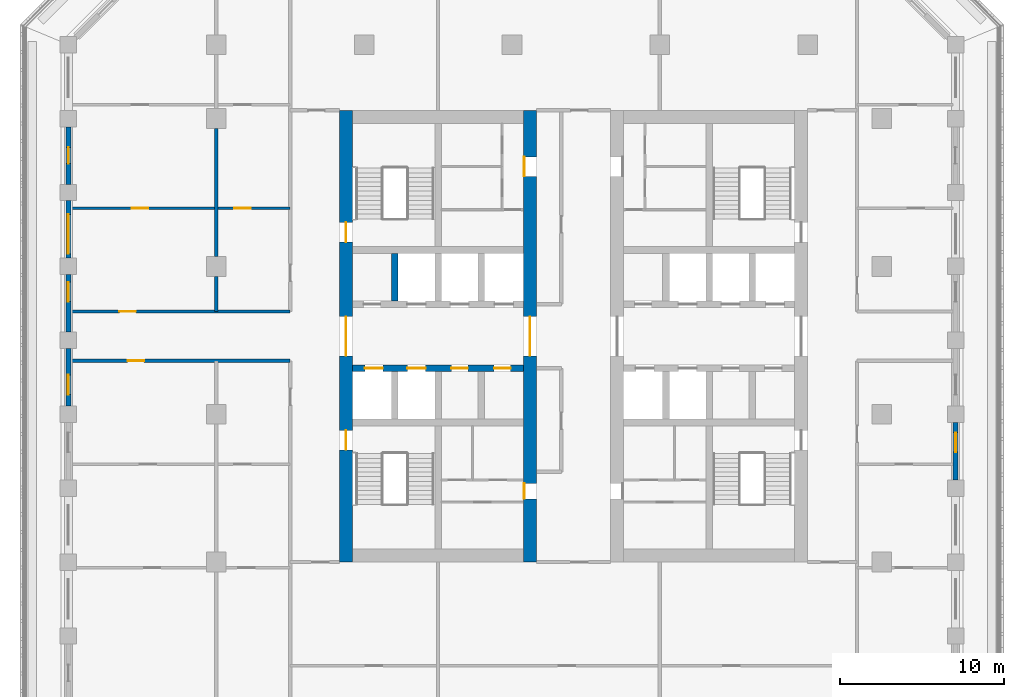
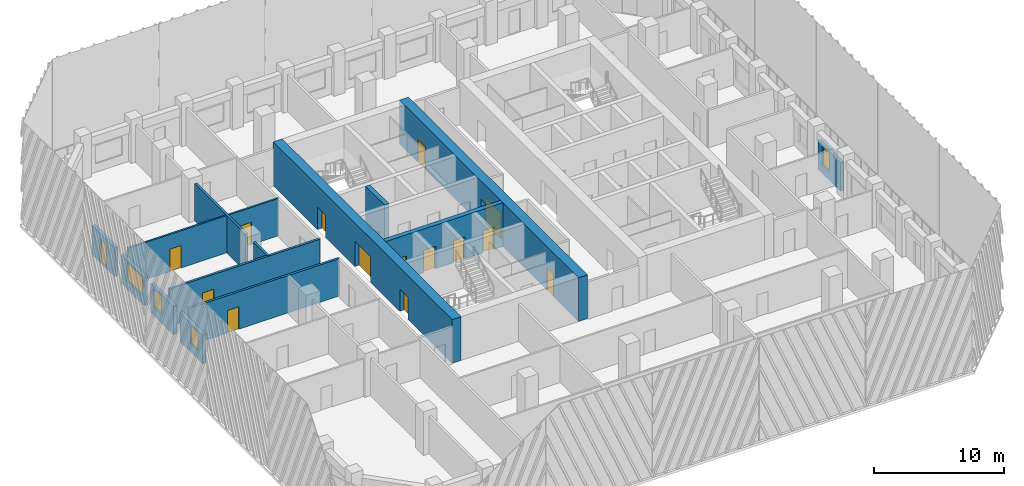
# One storey, part 5 of 18: 15 doors, 14 walls, 4 windows, 19 openings.
"""IFC4 building model written with IfcOpenShell, lengths in metres."""

from ifc_helpers import new_model, si_unit, direction, frame, frame_2d, origin, place, context, subcontext, project, spatial, rectangle, extrude, material, layer, layer_set, type_object, element, fill, save


model = new_model("IFC4")

# Units and contexts
model_context = context("Model", 3, precision=1e-05, world=origin(), true_north=direction((0.0, 1.0)))
body_context = subcontext(model_context, "Body", "Model", "MODEL_VIEW")
ifc_project = project(units=[si_unit("LENGTHUNIT", "METRE"), si_unit("AREAUNIT", "SQUARE_METRE"), si_unit("VOLUMEUNIT", "CUBIC_METRE"), si_unit("PLANEANGLEUNIT", "RADIAN"), si_unit("MASSUNIT", "GRAM", prefix="KILO")], contexts=[model_context])

# Site, building, storey
site_placement = place(None, origin())
site = spatial("IfcSite", under=ifc_project, at=site_placement, CompositionType="ELEMENT")
building_placement = place(site_placement, origin())
building = spatial("IfcBuilding", under=site, at=building_placement, Name="Corbel Stack Research Tower", CompositionType="ELEMENT")
storey_placement = place(building_placement, frame((0.0, 0.0, 181.39990234375)))
storey = spatial("IfcBuildingStorey", under=building, at=storey_placement, Name="L41", CompositionType="ELEMENT", Elevation=181.39990234375)

# Wall, openings, doors
ifc_material_1 = material(Name="Concrete C60/75", Category="concrete")
ifc_layer_1 = layer(ifc_material_1, 0.39990234375)
ifc_layer_set_1 = layer_set([ifc_layer_1], Name="Concrete C60/75")
wall_type_1 = type_object("IfcWallType", Name="CW-400-60", PredefinedType="SHEAR", material=ifc_layer_set_1)
wall_1_placement = place(storey_placement, frame((-9.699951171875, 2.800048828125, 0.0), z_axis=(0.0, 0.0, 1.0), x_axis=(1.0, 0.0, 0.0)))
wall_1 = element("IfcWall", 1, at=wall_1_placement, inside=storey, type_object=wall_type_1, Name="West core wall, lobby south L41", PredefinedType="SHEAR", context=body_context, shape_type="SweptSolid", body=[
    extrude(rectangle(XDim=10.39990234375, YDim=0.39990234375, at=frame_2d((5.199951171875, 0.0))), origin(), (0.0, 0.0, 1.0), 4.10009765625),
])
opening_1_placement = place(wall_1_placement, frame((0.737548828125, 0.0, 0.0)))
opening_1 = element("IfcOpeningElement", 2, at=opening_1_placement, cuts=wall_1, Name="Opening LD-FS1", PredefinedType="OPENING", context=body_context, shape_type="SweptSolid", body=[
    extrude(rectangle(XDim=1.10009765625, YDim=2.10009765625, at=frame_2d((0.550048828125, 1.050048828125))), frame((0.0, 0.2099609375, 0.0), z_axis=(0.0, -1.0, 0.0), x_axis=(1.0, 0.0, 0.0)), (0.0, 0.0, 1.0), 0.419921875),
])
opening_2_placement = place(wall_1_placement, frame((3.33740234375, 0.0, 0.0)))
opening_2 = element("IfcOpeningElement", 3, at=opening_2_placement, cuts=wall_1, Name="Opening LD-GL1", PredefinedType="OPENING", context=body_context, shape_type="SweptSolid", body=[
    extrude(rectangle(XDim=1.10009765625, YDim=2.10009765625, at=frame_2d((0.550048828125, 1.050048828125))), frame((0.0, 0.2099609375, 0.0), z_axis=(0.0, -1.0, 0.0), x_axis=(1.0, 0.0, 0.0)), (0.0, 0.0, 1.0), 0.419921875),
])
opening_3_placement = place(wall_1_placement, frame((6.012451171875, 0.0, 0.0)))
opening_3 = element("IfcOpeningElement", 4, at=opening_3_placement, cuts=wall_1, Name="Opening CR-W24-S3", PredefinedType="OPENING", context=body_context, shape_type="SweptSolid", body=[
    extrude(rectangle(XDim=1.0, YDim=2.10009765625, at=frame_2d((0.5, 1.050048828125))), frame((0.0, 0.2099609375, 0.0), z_axis=(0.0, -1.0, 0.0), x_axis=(1.0, 0.0, 0.0)), (0.0, 0.0, 1.0), 0.419921875),
])
opening_4_placement = place(wall_1_placement, frame((8.612548828125, 0.0, 0.0)))
opening_4 = element("IfcOpeningElement", 5, at=opening_4_placement, cuts=wall_1, Name="Opening CR-W24-S4", PredefinedType="OPENING", context=body_context, shape_type="SweptSolid", body=[
    extrude(rectangle(XDim=1.0, YDim=2.10009765625, at=frame_2d((0.5, 1.050048828125))), frame((0.0, 0.2099609375, 0.0), z_axis=(0.0, -1.0, 0.0), x_axis=(1.0, 0.0, 0.0)), (0.0, 0.0, 1.0), 0.419921875),
])
ifc_material_2 = material(Name="Stainless steel landing door", Category="steel")
door_type_1 = type_object("IfcDoorType", Name="Lift landing door 1100 x 2100", OperationType="DOUBLE_DOOR_SLIDING", PredefinedType="DOOR", material=ifc_material_2)
door_1_placement = place(opening_1_placement, origin())
door_1 = element("IfcDoor", 6, at=door_1_placement, inside=storey, type_object=door_type_1, Name="Landing door FS1", OperationType="DOUBLE_DOOR_SLIDING", OverallHeight=2.10009765625, OverallWidth=1.10009765625, PredefinedType="DOOR", context=body_context, shape_type="SweptSolid", body=[
    extrude(rectangle(XDim=1.10009765625, YDim=2.10009765625, at=frame_2d((0.550048828125, 1.050048828125))), frame((0.0, 0.02490234375, 0.0), z_axis=(0.0, -1.0, 0.0), x_axis=(1.0, 0.0, 0.0)), (0.0, 0.0, 1.0), 0.050048828125),
])
fill(opening_1, door_1)
door_2_placement = place(opening_2_placement, origin())
door_2 = element("IfcDoor", 7, at=door_2_placement, inside=storey, type_object=door_type_1, Name="Landing door GL1", OperationType="DOUBLE_DOOR_SLIDING", OverallHeight=2.10009765625, OverallWidth=1.10009765625, PredefinedType="DOOR", context=body_context, shape_type="SweptSolid", body=[
    extrude(rectangle(XDim=1.10009765625, YDim=2.10009765625, at=frame_2d((0.550048828125, 1.050048828125))), frame((0.0, 0.02490234375, 0.0), z_axis=(0.0, -1.0, 0.0), x_axis=(1.0, 0.0, 0.0)), (0.0, 0.0, 1.0), 0.050048828125),
])
fill(opening_2, door_2)
ifc_material_3 = material(Name="Painted steel door", Category="steel")
door_type_2 = type_object("IfcDoorType", Name="Service door 1000 x 2100 FD60 left hand", OperationType="SINGLE_SWING_LEFT", PredefinedType="DOOR", material=ifc_material_3)
door_3_placement = place(opening_3_placement, origin())
door_3 = element("IfcDoor", 8, at=door_3_placement, inside=storey, type_object=door_type_2, Name="Staff WC door W core", OperationType="SINGLE_SWING_LEFT", OverallHeight=2.10009765625, OverallWidth=1.0, PredefinedType="DOOR", context=body_context, shape_type="SweptSolid", body=[
    extrude(rectangle(XDim=1.0, YDim=2.10009765625, at=frame_2d((0.5, 1.050048828125))), frame((0.0, 0.02490234375, 0.0), z_axis=(0.0, -1.0, 0.0), x_axis=(1.0, 0.0, 0.0)), (0.0, 0.0, 1.0), 0.050048828125),
])
fill(opening_3, door_3)
ifc_material_4 = material(Name="Painted steel door", Category="steel")
door_type_3 = type_object("IfcDoorType", Name="Service door 1000 x 2100 FD60 right hand", OperationType="SINGLE_SWING_RIGHT", PredefinedType="DOOR", material=ifc_material_4)
door_4_placement = place(opening_4_placement, origin())
door_4 = element("IfcDoor", 9, at=door_4_placement, inside=storey, type_object=door_type_3, Name="Laboratory consumables store door W core", OperationType="SINGLE_SWING_RIGHT", OverallHeight=2.10009765625, OverallWidth=1.0, PredefinedType="DOOR", context=body_context, shape_type="SweptSolid", body=[
    extrude(rectangle(XDim=1.0, YDim=2.10009765625, at=frame_2d((0.5, 1.050048828125))), frame((0.0, 0.02490234375, 0.0), z_axis=(0.0, -1.0, 0.0), x_axis=(1.0, 0.0, 0.0)), (0.0, 0.0, 1.0), 0.050048828125),
])
fill(opening_4, door_4)

# Wall
wall_2_placement = place(storey_placement, frame((-7.125, 6.89990234375, 0.0), z_axis=(0.0, 0.0, 1.0), x_axis=(0.0, 1.0, 0.0)))
element("IfcWall", 10, at=wall_2_placement, inside=storey, type_object=wall_type_1, Name="West core wall, north shaft 1 L41", PredefinedType="SHEAR", context=body_context, shape_type="SweptSolid", body=[
    extrude(rectangle(XDim=2.900146484375, YDim=0.39990234375, at=frame_2d((1.4501953125, 0.0))), origin(), (0.0, 0.0, 1.0), 4.10009765625),
])

# Wall, openings, doors
ifc_material_5 = material(Name="Concrete C60/75", Category="concrete")
ifc_layer_2 = layer(ifc_material_5, 0.800048828125)
ifc_layer_set_2 = layer_set([ifc_layer_2], Name="Concrete C60/75")
wall_type_2 = type_object("IfcWallType", Name="CW-800-60", PredefinedType="SHEAR", material=ifc_layer_set_2)
wall_3_placement = place(storey_placement, frame((-10.10009765625, -9.0, 0.0), z_axis=(0.0, 0.0, 1.0), x_axis=(0.0, 1.0, 0.0)))
wall_3 = element("IfcWall", 11, at=wall_3_placement, inside=storey, type_object=wall_type_2, Name="West core wall, west face L41", PredefinedType="SHEAR", context=body_context, shape_type="SweptSolid", body=[
    extrude(rectangle(XDim=27.5, YDim=0.800048828125, at=frame_2d((13.75, 0.0))), origin(), (0.0, 0.0, 1.0), 4.10009765625),
])
opening_5_placement = place(wall_3_placement, frame((12.550048828125, 0.0, 0.0)))
opening_5 = element("IfcOpeningElement", 12, at=opening_5_placement, cuts=wall_3, Name="Opening CD-W-W", PredefinedType="OPENING", context=body_context, shape_type="SweptSolid", body=[
    extrude(rectangle(XDim=2.39990234375, YDim=2.39990234375, at=frame_2d((1.199951171875, 1.199951171875))), frame((0.0, 0.409912109375, 0.0), z_axis=(0.0, -1.0, 0.0), x_axis=(1.0, 0.0, 0.0)), (0.0, 0.0, 1.0), 0.820068359375),
])
opening_6_placement = place(wall_3_placement, frame((6.824951171875, 0.0, 0.0)))
opening_6 = element("IfcOpeningElement", 13, at=opening_6_placement, cuts=wall_3, Name="Opening SD-ST-W1", PredefinedType="OPENING", context=body_context, shape_type="SweptSolid", body=[
    extrude(rectangle(XDim=1.199951171875, YDim=2.10009765625, at=frame_2d((0.60009765625, 1.050048828125))), frame((0.0, 0.409912109375, 0.0), z_axis=(0.0, -1.0, 0.0), x_axis=(1.0, 0.0, 0.0)), (0.0, 0.0, 1.0), 0.820068359375),
])
opening_7_placement = place(wall_3_placement, frame((19.47509765625, 0.0, 0.0)))
opening_7 = element("IfcOpeningElement", 14, at=opening_7_placement, cuts=wall_3, Name="Opening SD-ST-W2", PredefinedType="OPENING", context=body_context, shape_type="SweptSolid", body=[
    extrude(rectangle(XDim=1.199951171875, YDim=2.10009765625, at=frame_2d((0.60009765625, 1.050048828125))), frame((0.0, 0.409912109375, 0.0), z_axis=(0.0, -1.0, 0.0), x_axis=(1.0, 0.0, 0.0)), (0.0, 0.0, 1.0), 0.820068359375),
])
ifc_material_6 = material(Name="Painted steel fire door", Category="steel")
door_type_4 = type_object("IfcDoorType", Name="Lobby door pair 2400 x 2400 FD30S", OperationType="DOUBLE_DOOR_DOUBLE_SWING", PredefinedType="DOOR", material=ifc_material_6)
door_5_placement = place(opening_5_placement, origin())
door_5 = element("IfcDoor", 15, at=door_5_placement, inside=storey, type_object=door_type_4, Name="Lift lobby door W core W", OperationType="DOUBLE_DOOR_DOUBLE_SWING", OverallHeight=2.39990234375, OverallWidth=2.39990234375, PredefinedType="DOOR", context=body_context, shape_type="SweptSolid", body=[
    extrude(rectangle(XDim=2.39990234375, YDim=2.39990234375, at=frame_2d((1.199951171875, 1.199951171875))), frame((0.0, 0.02490234375, 0.0), z_axis=(0.0, -1.0, 0.0), x_axis=(1.0, 0.0, 0.0)), (0.0, 0.0, 1.0), 0.050048828125),
])
fill(opening_5, door_5)
ifc_material_7 = material(Name="Painted steel fire door", Category="steel")
door_type_5 = type_object("IfcDoorType", Name="Stair door 1200 x 2100 FD90 left hand", OperationType="SINGLE_SWING_LEFT", PredefinedType="DOOR", material=ifc_material_7)
door_6_placement = place(opening_6_placement, origin())
door_6 = element("IfcDoor", 16, at=door_6_placement, inside=storey, type_object=door_type_5, Name="Stair door ST-W1", OperationType="SINGLE_SWING_LEFT", OverallHeight=2.10009765625, OverallWidth=1.199951171875, PredefinedType="DOOR", context=body_context, shape_type="SweptSolid", body=[
    extrude(rectangle(XDim=1.199951171875, YDim=2.10009765625, at=frame_2d((0.60009765625, 1.050048828125))), frame((0.0, 0.02490234375, 0.0), z_axis=(0.0, -1.0, 0.0), x_axis=(1.0, 0.0, 0.0)), (0.0, 0.0, 1.0), 0.050048828125),
])
fill(opening_6, door_6)
door_7_placement = place(opening_7_placement, origin())
door_7 = element("IfcDoor", 17, at=door_7_placement, inside=storey, type_object=door_type_5, Name="Stair door ST-W2", OperationType="SINGLE_SWING_LEFT", OverallHeight=2.10009765625, OverallWidth=1.199951171875, PredefinedType="DOOR", context=body_context, shape_type="SweptSolid", body=[
    extrude(rectangle(XDim=1.199951171875, YDim=2.10009765625, at=frame_2d((0.60009765625, 1.050048828125))), frame((0.0, 0.02490234375, 0.0), z_axis=(0.0, -1.0, 0.0), x_axis=(1.0, 0.0, 0.0)), (0.0, 0.0, 1.0), 0.050048828125),
])
fill(opening_7, door_7)

wall_4_placement = place(storey_placement, frame((1.10009765625, -9.0, 0.0), z_axis=(0.0, 0.0, 1.0), x_axis=(0.0, 1.0, 0.0)))
wall_4 = element("IfcWall", 18, at=wall_4_placement, inside=storey, type_object=wall_type_2, Name="West core wall, east face L41", PredefinedType="SHEAR", context=body_context, shape_type="SweptSolid", body=[
    extrude(rectangle(XDim=27.5, YDim=0.800048828125, at=frame_2d((13.75, 0.0))), origin(), (0.0, 0.0, 1.0), 4.10009765625),
])
opening_8_placement = place(wall_4_placement, frame((12.550048828125, 0.0, 0.0)))
opening_8 = element("IfcOpeningElement", 19, at=opening_8_placement, cuts=wall_4, Name="Opening CD-W-E", PredefinedType="OPENING", context=body_context, shape_type="SweptSolid", body=[
    extrude(rectangle(XDim=2.39990234375, YDim=2.39990234375, at=frame_2d((1.199951171875, 1.199951171875))), frame((0.0, 0.409912109375, 0.0), z_axis=(0.0, -1.0, 0.0), x_axis=(1.0, 0.0, 0.0)), (0.0, 0.0, 1.0), 0.820068359375),
])
opening_9_placement = place(wall_4_placement, frame((3.85009765625, 0.0, 0.0)))
opening_9 = element("IfcOpeningElement", 20, at=opening_9_placement, cuts=wall_4, Name="Opening CR-W24-W1-950", PredefinedType="OPENING", context=body_context, shape_type="SweptSolid", body=[
    extrude(rectangle(XDim=0.949951171875, YDim=2.10009765625, at=frame_2d((0.47509765625, 1.050048828125))), frame((0.0, 0.409912109375, 0.0), z_axis=(0.0, -1.0, 0.0), x_axis=(1.0, 0.0, 0.0)), (0.0, 0.0, 1.0), 0.820068359375),
])
opening_10_placement = place(wall_4_placement, frame((23.47509765625, 0.0, 0.0)))
opening_10 = element("IfcOpeningElement", 21, at=opening_10_placement, cuts=wall_4, Name="Opening CR-W24-R2-1200", PredefinedType="OPENING", context=body_context, shape_type="SweptSolid", body=[
    extrude(rectangle(XDim=1.199951171875, YDim=2.10009765625, at=frame_2d((0.60009765625, 1.050048828125))), frame((0.0, 0.409912109375, 0.0), z_axis=(0.0, -1.0, 0.0), x_axis=(1.0, 0.0, 0.0)), (0.0, 0.0, 1.0), 0.820068359375),
])
door_8_placement = place(opening_8_placement, origin())
door_8 = element("IfcDoor", 22, at=door_8_placement, inside=storey, type_object=door_type_4, Name="Lift lobby door W core E", OperationType="DOUBLE_DOOR_DOUBLE_SWING", OverallHeight=2.39990234375, OverallWidth=2.39990234375, PredefinedType="DOOR", context=body_context, shape_type="SweptSolid", body=[
    extrude(rectangle(XDim=2.39990234375, YDim=2.39990234375, at=frame_2d((1.199951171875, 1.199951171875))), frame((0.0, 0.02490234375, 0.0), z_axis=(0.0, -1.0, 0.0), x_axis=(1.0, 0.0, 0.0)), (0.0, 0.0, 1.0), 0.050048828125),
])
fill(opening_8, door_8)
ifc_material_8 = material(Name="Painted steel door", Category="steel")
door_type_6 = type_object("IfcDoorType", Name="Service door 1200 x 2100 FD30 right hand", OperationType="SINGLE_SWING_RIGHT", PredefinedType="DOOR", material=ifc_material_8)
door_9_placement = place(opening_10_placement, origin())
door_9 = element("IfcDoor", 23, at=door_9_placement, inside=storey, type_object=door_type_6, Name="Service passage door W core", OperationType="SINGLE_SWING_RIGHT", OverallHeight=2.10009765625, OverallWidth=1.199951171875, PredefinedType="DOOR", context=body_context, shape_type="SweptSolid", body=[
    extrude(rectangle(XDim=1.199951171875, YDim=2.10009765625, at=frame_2d((0.60009765625, 1.050048828125))), frame((0.0, 0.375, 0.0), z_axis=(0.0, -1.0, 0.0), x_axis=(1.0, 0.0, 0.0)), (0.0, 0.0, 1.0), 0.050048828125),
])
fill(opening_10, door_9)
ifc_material_9 = material(Name="Painted timber door", Category="wood")
door_type_7 = type_object("IfcDoorType", Name="WC door 950 x 2100 left hand", OperationType="SINGLE_SWING_LEFT", PredefinedType="DOOR", material=ifc_material_9)
door_10_placement = place(opening_9_placement, origin())
door_10 = element("IfcDoor", 24, at=door_10_placement, inside=storey, type_object=door_type_7, Name="WC lobby door W core", OperationType="SINGLE_SWING_LEFT", OverallHeight=2.10009765625, OverallWidth=0.949951171875, PredefinedType="DOOR", context=body_context, shape_type="SweptSolid", body=[
    extrude(rectangle(XDim=0.949951171875, YDim=2.10009765625, at=frame_2d((0.47509765625, 1.050048828125))), frame((0.0, 0.375, 0.0), z_axis=(0.0, -1.0, 0.0), x_axis=(1.0, 0.0, 0.0)), (0.0, 0.0, 1.0), 0.050048828125),
])
fill(opening_9, door_10)

# Walls
ifc_material_10 = material(Name="Fire-rated gypsum board partition on steel studs", Category="steel")
ifc_layer_3 = layer(ifc_material_10, 0.199951171875)
ifc_layer_set_3 = layer_set([ifc_layer_3], Name="Fire-rated gypsum board partition on steel studs")
wall_type_3 = type_object("IfcWallType", Name="Fire-rated partition 200 EI 60", PredefinedType="PARTITIONING", material=ifc_layer_set_3)
wall_5_placement = place(storey_placement, frame((-18.0, 6.25, 0.0), z_axis=(0.0, 0.0, 1.0), x_axis=(0.0, 1.0, 0.0)))
element("IfcWall", 25, at=wall_5_placement, inside=storey, type_object=wall_type_3, Name="Partition L41-005", PredefinedType="PARTITIONING", context=body_context, shape_type="SweptSolid", body=[
    extrude(rectangle(XDim=2.14990234375, YDim=0.199951171875, at=frame_2d((1.074951171875, 0.0))), origin(), (0.0, 0.0, 1.0), 3.5),
])
wall_6_placement = place(storey_placement, frame((-18.0, 9.60009765625, 0.0), z_axis=(0.0, 0.0, 1.0), x_axis=(0.0, 1.0, 0.0)))
element("IfcWall", 26, at=wall_6_placement, inside=storey, type_object=wall_type_3, Name="Partition L41-006", PredefinedType="PARTITIONING", context=body_context, shape_type="SweptSolid", body=[
    extrude(rectangle(XDim=7.7998046875, YDim=0.199951171875, at=frame_2d((3.89990234375, 0.0))), origin(), (0.0, 0.0, 1.0), 3.5),
])

# Wall, opening, door
wall_7_placement = place(storey_placement, frame((-13.5, 3.25, 0.0), z_axis=(0.0, 0.0, 1.0), x_axis=(-1.0, 0.0, 0.0)))
wall_7 = element("IfcWall", 27, at=wall_7_placement, inside=storey, type_object=wall_type_3, Name="Partition L41-034", PredefinedType="PARTITIONING", context=body_context, shape_type="SweptSolid", body=[
    extrude(rectangle(XDim=13.35009765625, YDim=0.199951171875, at=frame_2d((6.675048828125, 0.0))), origin(), (0.0, 0.0, 1.0), 3.5),
])
opening_11_placement = place(wall_7_placement, frame((8.89990234375, 0.0, 0.0)))
opening_11 = element("IfcOpeningElement", 28, at=opening_11_placement, cuts=wall_7, Name="Opening B5V2-020", PredefinedType="OPENING", context=body_context, shape_type="SweptSolid", body=[
    extrude(rectangle(XDim=1.0, YDim=2.10009765625, at=frame_2d((0.5, 1.050048828125))), frame((0.0, 0.10986328125, 0.0), z_axis=(0.0, -1.0, 0.0), x_axis=(1.0, 0.0, 0.0)), (0.0, 0.0, 1.0), 0.219970703125),
])
ifc_material_11 = material(Name="Painted steel fire door", Category="steel")
door_type_8 = type_object("IfcDoorType", Name="Fire door FD30S 1000 x 2100", OperationType="NOTDEFINED", PredefinedType="DOOR", material=ifc_material_11)
door_11_placement = place(opening_11_placement, origin())
door_11 = element("IfcDoor", 29, at=door_11_placement, inside=storey, type_object=door_type_8, Name="Door B5V2-020", OperationType="SINGLE_SWING_RIGHT", OverallHeight=2.10009765625, OverallWidth=1.0, PredefinedType="DOOR", context=body_context, shape_type="SweptSolid", body=[
    extrude(rectangle(XDim=1.0, YDim=2.10009765625, at=frame_2d((0.5, 1.050048828125))), frame((0.0, 0.02490234375, 0.0), z_axis=(0.0, -1.0, 0.0), x_axis=(1.0, 0.0, 0.0)), (0.0, 0.0, 1.0), 0.050048828125),
])
fill(opening_11, door_11)

wall_8_placement = place(storey_placement, frame((-26.85009765625, 6.25, 0.0), z_axis=(0.0, 0.0, 1.0), x_axis=(1.0, 0.0, 0.0)))
wall_8 = element("IfcWall", 30, at=wall_8_placement, inside=storey, type_object=wall_type_3, Name="Partition L41-036", PredefinedType="PARTITIONING", context=body_context, shape_type="SweptSolid", body=[
    extrude(rectangle(XDim=13.35009765625, YDim=0.199951171875, at=frame_2d((6.675048828125, 0.0))), origin(), (0.0, 0.0, 1.0), 3.5),
])
opening_12_placement = place(wall_8_placement, frame((2.949951171875, 0.0, 0.0)))
opening_12 = element("IfcOpeningElement", 31, at=opening_12_placement, cuts=wall_8, Name="Opening B5V2-021", PredefinedType="OPENING", context=body_context, shape_type="SweptSolid", body=[
    extrude(rectangle(XDim=1.0, YDim=2.10009765625, at=frame_2d((0.5, 1.050048828125))), frame((0.0, 0.10986328125, 0.0), z_axis=(0.0, -1.0, 0.0), x_axis=(1.0, 0.0, 0.0)), (0.0, 0.0, 1.0), 0.219970703125),
])
door_12_placement = place(opening_12_placement, origin())
door_12 = element("IfcDoor", 32, at=door_12_placement, inside=storey, type_object=door_type_8, Name="Door B5V2-021", OperationType="SINGLE_SWING_LEFT", OverallHeight=2.10009765625, OverallWidth=1.0, PredefinedType="DOOR", context=body_context, shape_type="SweptSolid", body=[
    extrude(rectangle(XDim=1.0, YDim=2.10009765625, at=frame_2d((0.5, 1.050048828125))), frame((0.0, 0.02490234375, 0.0), z_axis=(0.0, -1.0, 0.0), x_axis=(1.0, 0.0, 0.0)), (0.0, 0.0, 1.0), 0.050048828125),
])
fill(opening_12, door_12)

# Wall, openings, doors
ifc_material_12 = material(Name="Gypsum board partition on steel studs", Category="steel")
ifc_layer_4 = layer(ifc_material_12, 0.14990234375)
ifc_layer_set_4 = layer_set([ifc_layer_4], Name="Gypsum board partition on steel studs")
wall_type_4 = type_object("IfcWallType", Name="Partition 150", PredefinedType="PARTITIONING", material=ifc_layer_set_4)
wall_9_placement = place(storey_placement, frame((-26.85009765625, 12.550048828125, 0.0), z_axis=(0.0, 0.0, 1.0), x_axis=(1.0, 0.0, 0.0)))
wall_9 = element("IfcWall", 33, at=wall_9_placement, inside=storey, type_object=wall_type_4, Name="Partition L41-039", PredefinedType="PARTITIONING", context=body_context, shape_type="SweptSolid", body=[
    extrude(rectangle(XDim=13.35009765625, YDim=0.14990234375, at=frame_2d((6.675048828125, 0.0))), origin(), (0.0, 0.0, 1.0), 3.5),
])
opening_13_placement = place(wall_9_placement, frame((3.699951171875, 0.0, 0.0)))
opening_13 = element("IfcOpeningElement", 34, at=opening_13_placement, cuts=wall_9, Name="Opening B5V2-022", PredefinedType="OPENING", context=body_context, shape_type="SweptSolid", body=[
    extrude(rectangle(XDim=1.0, YDim=2.10009765625, at=frame_2d((0.5, 1.050048828125))), frame((0.0, 0.0849609375, 0.0), z_axis=(0.0, -1.0, 0.0), x_axis=(1.0, 0.0, 0.0)), (0.0, 0.0, 1.0), 0.169921875),
])
opening_14_placement = place(wall_9_placement, frame((9.949951171875, 0.0, 0.0)))
opening_14 = element("IfcOpeningElement", 35, at=opening_14_placement, cuts=wall_9, Name="Opening B5V2-023", PredefinedType="OPENING", context=body_context, shape_type="SweptSolid", body=[
    extrude(rectangle(XDim=1.0, YDim=2.10009765625, at=frame_2d((0.5, 1.050048828125))), frame((0.0, 0.0849609375, 0.0), z_axis=(0.0, -1.0, 0.0), x_axis=(1.0, 0.0, 0.0)), (0.0, 0.0, 1.0), 0.169921875),
])
ifc_material_13 = material(Name="Painted timber door", Category="wood")
door_type_9 = type_object("IfcDoorType", Name="Single door 1000 x 2100", OperationType="NOTDEFINED", PredefinedType="DOOR", material=ifc_material_13)
door_13_placement = place(opening_13_placement, origin())
door_13 = element("IfcDoor", 36, at=door_13_placement, inside=storey, type_object=door_type_9, Name="Door B5V2-022", OperationType="SINGLE_SWING_LEFT", OverallHeight=2.10009765625, OverallWidth=1.0, PredefinedType="DOOR", context=body_context, shape_type="SweptSolid", body=[
    extrude(rectangle(XDim=1.0, YDim=2.10009765625, at=frame_2d((0.5, 1.050048828125))), frame((0.0, 0.02490234375, 0.0), z_axis=(0.0, -1.0, 0.0), x_axis=(1.0, 0.0, 0.0)), (0.0, 0.0, 1.0), 0.050048828125),
])
fill(opening_13, door_13)
door_14_placement = place(opening_14_placement, origin())
door_14 = element("IfcDoor", 37, at=door_14_placement, inside=storey, type_object=door_type_9, Name="Door B5V2-023", OperationType="SINGLE_SWING_RIGHT", OverallHeight=2.10009765625, OverallWidth=1.0, PredefinedType="DOOR", context=body_context, shape_type="SweptSolid", body=[
    extrude(rectangle(XDim=1.0, YDim=2.10009765625, at=frame_2d((0.5, 1.050048828125))), frame((0.0, 0.02490234375, 0.0), z_axis=(0.0, -1.0, 0.0), x_axis=(1.0, 0.0, 0.0)), (0.0, 0.0, 1.0), 0.050048828125),
])
fill(opening_14, door_14)

# Wall, opening, window
ifc_material_14 = material(Name="Concrete C45/55", Category="concrete")
ifc_layer_5 = layer(ifc_material_14, 0.300048828125)
ifc_layer_set_5 = layer_set([ifc_layer_5], Name="Concrete C45/55")
wall_type_5 = type_object("IfcWallType", Name="Terracotta-faced concrete wall 300", PredefinedType="SOLIDWALL", material=ifc_layer_set_5)
wall_10_placement = place(storey_placement, frame((27.0, -0.5, 0.0), z_axis=(0.0, 0.0, 1.0), x_axis=(0.0, -1.0, 0.0)))
wall_10 = element("IfcWall", 38, at=wall_10_placement, inside=storey, type_object=wall_type_5, Name="Facade wall L41 E05", PredefinedType="SOLIDWALL", context=body_context, shape_type="SweptSolid", body=[
    extrude(rectangle(XDim=3.5, YDim=0.300048828125, at=frame_2d((1.75, 0.0))), origin(), (0.0, 0.0, 1.0), 2.7001953125),
])
opening_15_placement = place(wall_10_placement, frame((0.612548828125, 0.0, 0.800048828125)))
opening_15 = element("IfcOpeningElement", 39, at=opening_15_placement, cuts=wall_10, Name="Opening W2", PredefinedType="OPENING", context=body_context, shape_type="SweptSolid", body=[
    extrude(rectangle(XDim=1.199951171875, YDim=1.699951171875, at=frame_2d((0.60009765625, 0.85009765625))), frame((0.0, 0.159912109375, 0.0), z_axis=(0.0, -1.0, 0.0), x_axis=(1.0, 0.0, 0.0)), (0.0, 0.0, 1.0), 0.320068359375),
])
ifc_material_15 = material(Name="Aluminium frame, clear double glazing", Category="aluminium")
window_type_1 = type_object("IfcWindowType", Name="Window W2 1200 x 1700", PartitioningType="SINGLE_PANEL", PredefinedType="WINDOW", material=ifc_material_15)
window_1_placement = place(opening_15_placement, origin())
window_1 = element("IfcWindow", 40, at=window_1_placement, inside=storey, type_object=window_type_1, Name="Window W2 L41 E05", OverallHeight=1.699951171875, OverallWidth=1.199951171875, PartitioningType="SINGLE_PANEL", PredefinedType="WINDOW", context=body_context, shape_type="SweptSolid", body=[
    extrude(rectangle(XDim=1.199951171875, YDim=1.699951171875, at=frame_2d((0.60009765625, 0.85009765625))), frame((0.0, 0.030029296875, 0.0), z_axis=(0.0, -1.0, 0.0), x_axis=(1.0, 0.0, 0.0)), (0.0, 0.0, 1.0), 0.06005859375),
])
fill(opening_15, window_1)

# Wall, opening, door
wall_11_placement = place(storey_placement, frame((-27.0, 14.0, 0.0), z_axis=(0.0, 0.0, 1.0), x_axis=(0.0, 1.0, 0.0)))
wall_11 = element("IfcWall", 41, at=wall_11_placement, inside=storey, type_object=wall_type_5, Name="Facade wall L41 W02", PredefinedType="SOLIDWALL", context=body_context, shape_type="SweptSolid", body=[
    extrude(rectangle(XDim=3.5, YDim=0.300048828125, at=frame_2d((1.75, 0.0))), origin(), (0.0, 0.0, 1.0), 2.7001953125),
])
opening_16_placement = place(wall_11_placement, frame((1.25, 0.0, 0.0)))
opening_16 = element("IfcOpeningElement", 42, at=opening_16_placement, cuts=wall_11, Name="Opening L41-B10", PredefinedType="OPENING", context=body_context, shape_type="SweptSolid", body=[
    extrude(rectangle(XDim=1.0, YDim=2.199951171875, at=frame_2d((0.5, 1.10009765625))), frame((0.0, 0.159912109375, 0.0), z_axis=(0.0, -1.0, 0.0), x_axis=(1.0, 0.0, 0.0)), (0.0, 0.0, 1.0), 0.320068359375),
])
ifc_material_16 = material(Name="Aluminium frame, clear double glazing", Category="aluminium")
door_type_10 = type_object("IfcDoorType", Name="Balcony door BD1 1000 x 2200", OperationType="NOTDEFINED", PredefinedType="DOOR", material=ifc_material_16)
door_15_placement = place(opening_16_placement, origin())
door_15 = element("IfcDoor", 43, at=door_15_placement, inside=storey, type_object=door_type_10, Name="Balcony door L41-B10", OperationType="SINGLE_SWING_LEFT", OverallHeight=2.199951171875, OverallWidth=1.0, PredefinedType="DOOR", context=body_context, shape_type="SweptSolid", body=[
    extrude(rectangle(XDim=1.0, YDim=2.199951171875, at=frame_2d((0.5, 1.10009765625))), frame((0.0, 0.02490234375, 0.0), z_axis=(0.0, -1.0, 0.0), x_axis=(1.0, 0.0, 0.0)), (0.0, 0.0, 1.0), 0.050048828125),
])
fill(opening_16, door_15)

# Wall, opening, window
wall_12_placement = place(storey_placement, frame((-27.0, 9.5, 0.0), z_axis=(0.0, 0.0, 1.0), x_axis=(0.0, 1.0, 0.0)))
wall_12 = element("IfcWall", 44, at=wall_12_placement, inside=storey, type_object=wall_type_5, Name="Facade wall L41 W03", PredefinedType="SOLIDWALL", context=body_context, shape_type="SweptSolid", body=[
    extrude(rectangle(XDim=3.5, YDim=0.300048828125, at=frame_2d((1.75, 0.0))), origin(), (0.0, 0.0, 1.0), 2.7001953125),
])
opening_17_placement = place(wall_12_placement, frame((0.262451171875, 0.0, 0.800048828125)))
opening_17 = element("IfcOpeningElement", 45, at=opening_17_placement, cuts=wall_12, Name="Opening W1", PredefinedType="OPENING", context=body_context, shape_type="SweptSolid", body=[
    extrude(rectangle(XDim=2.39990234375, YDim=1.699951171875, at=frame_2d((1.199951171875, 0.85009765625))), frame((0.0, 0.159912109375, 0.0), z_axis=(0.0, -1.0, 0.0), x_axis=(1.0, 0.0, 0.0)), (0.0, 0.0, 1.0), 0.320068359375),
])
ifc_material_17 = material(Name="Aluminium frame, clear double glazing", Category="aluminium")
window_type_2 = type_object("IfcWindowType", Name="Window W1 2400 x 1700", PartitioningType="SINGLE_PANEL", PredefinedType="WINDOW", material=ifc_material_17)
window_2_placement = place(opening_17_placement, origin())
window_2 = element("IfcWindow", 46, at=window_2_placement, inside=storey, type_object=window_type_2, Name="Window W1 L41 W03", OverallHeight=1.699951171875, OverallWidth=2.39990234375, PartitioningType="SINGLE_PANEL", PredefinedType="WINDOW", context=body_context, shape_type="SweptSolid", body=[
    extrude(rectangle(XDim=2.39990234375, YDim=1.699951171875, at=frame_2d((1.199951171875, 0.85009765625))), frame((0.0, 0.030029296875, 0.0), z_axis=(0.0, -1.0, 0.0), x_axis=(1.0, 0.0, 0.0)), (0.0, 0.0, 1.0), 0.06005859375),
])
fill(opening_17, window_2)

wall_13_placement = place(storey_placement, frame((-27.0, 5.0, 0.0), z_axis=(0.0, 0.0, 1.0), x_axis=(0.0, 1.0, 0.0)))
wall_13 = element("IfcWall", 47, at=wall_13_placement, inside=storey, type_object=wall_type_5, Name="Facade wall L41 W04", PredefinedType="SOLIDWALL", context=body_context, shape_type="SweptSolid", body=[
    extrude(rectangle(XDim=3.5, YDim=0.300048828125, at=frame_2d((1.75, 0.0))), origin(), (0.0, 0.0, 1.0), 2.7001953125),
])
opening_18_placement = place(wall_13_placement, frame((1.85009765625, 0.0, 0.800048828125)))
opening_18 = element("IfcOpeningElement", 48, at=opening_18_placement, cuts=wall_13, Name="Opening W2", PredefinedType="OPENING", context=body_context, shape_type="SweptSolid", body=[
    extrude(rectangle(XDim=1.199951171875, YDim=1.699951171875, at=frame_2d((0.60009765625, 0.85009765625))), frame((0.0, 0.159912109375, 0.0), z_axis=(0.0, -1.0, 0.0), x_axis=(1.0, 0.0, 0.0)), (0.0, 0.0, 1.0), 0.320068359375),
])
window_3_placement = place(opening_18_placement, origin())
window_3 = element("IfcWindow", 49, at=window_3_placement, inside=storey, type_object=window_type_1, Name="Window W2 L41 W04", OverallHeight=1.699951171875, OverallWidth=1.199951171875, PartitioningType="SINGLE_PANEL", PredefinedType="WINDOW", context=body_context, shape_type="SweptSolid", body=[
    extrude(rectangle(XDim=1.199951171875, YDim=1.699951171875, at=frame_2d((0.60009765625, 0.85009765625))), frame((0.0, 0.030029296875, 0.0), z_axis=(0.0, -1.0, 0.0), x_axis=(1.0, 0.0, 0.0)), (0.0, 0.0, 1.0), 0.06005859375),
])
fill(opening_18, window_3)

wall_14_placement = place(storey_placement, frame((-27.0, 0.5, 0.0), z_axis=(0.0, 0.0, 1.0), x_axis=(0.0, 1.0, 0.0)))
wall_14 = element("IfcWall", 50, at=wall_14_placement, inside=storey, type_object=wall_type_5, Name="Facade wall L41 W05", PredefinedType="SOLIDWALL", context=body_context, shape_type="SweptSolid", body=[
    extrude(rectangle(XDim=3.5, YDim=0.300048828125, at=frame_2d((1.75, 0.0))), origin(), (0.0, 0.0, 1.0), 2.7001953125),
])
opening_19_placement = place(wall_14_placement, frame((0.699951171875, 0.0, 0.800048828125)))
opening_19 = element("IfcOpeningElement", 51, at=opening_19_placement, cuts=wall_14, Name="Opening W2", PredefinedType="OPENING", context=body_context, shape_type="SweptSolid", body=[
    extrude(rectangle(XDim=1.199951171875, YDim=1.699951171875, at=frame_2d((0.60009765625, 0.85009765625))), frame((0.0, 0.159912109375, 0.0), z_axis=(0.0, -1.0, 0.0), x_axis=(1.0, 0.0, 0.0)), (0.0, 0.0, 1.0), 0.320068359375),
])
window_4_placement = place(opening_19_placement, origin())
window_4 = element("IfcWindow", 52, at=window_4_placement, inside=storey, type_object=window_type_1, Name="Window W2 L41 W05", OverallHeight=1.699951171875, OverallWidth=1.199951171875, PartitioningType="SINGLE_PANEL", PredefinedType="WINDOW", context=body_context, shape_type="SweptSolid", body=[
    extrude(rectangle(XDim=1.199951171875, YDim=1.699951171875, at=frame_2d((0.60009765625, 0.85009765625))), frame((0.0, 0.030029296875, 0.0), z_axis=(0.0, -1.0, 0.0), x_axis=(1.0, 0.0, 0.0)), (0.0, 0.0, 1.0), 0.06005859375),
])
fill(opening_19, window_4)

save(model, "model.ifc")
